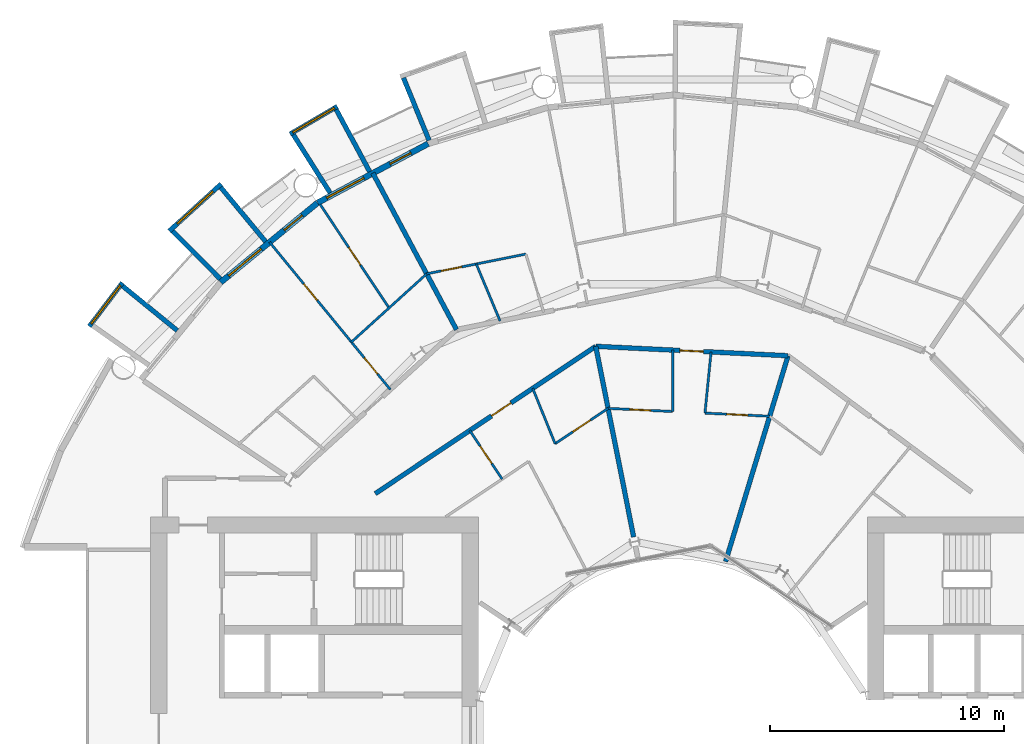
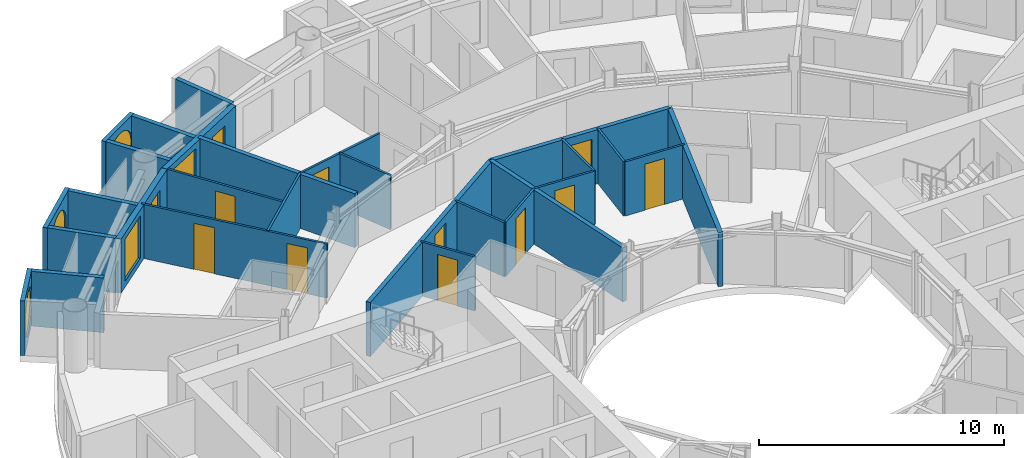
# One storey, part 19 of 26: 28 walls, 12 doors, 5 windows, 17 openings.
"""IFC4 building model written with IfcOpenShell, lengths in metres."""

from ifc_helpers import new_model, si_unit, direction, frame, frame_2d, origin, place, context, subcontext, project, spatial, rectangle, circle, extrude, material, layer, layer_set, type_object, element, fill, save


model = new_model("IFC4")

# Units and contexts
model_context = context("Model", 3, precision=1e-05, world=origin(), true_north=direction((0.0, 1.0)))
body_context = subcontext(model_context, "Body", "Model", "MODEL_VIEW")
ifc_project = project(units=[si_unit("LENGTHUNIT", "METRE"), si_unit("AREAUNIT", "SQUARE_METRE"), si_unit("VOLUMEUNIT", "CUBIC_METRE"), si_unit("PLANEANGLEUNIT", "RADIAN"), si_unit("MASSUNIT", "GRAM", prefix="KILO")], contexts=[model_context])

# Site, building, storey
site_placement = place(None, origin())
site = spatial("IfcSite", under=ifc_project, at=site_placement, CompositionType="ELEMENT")
building_placement = place(site_placement, origin())
building = spatial("IfcBuilding", under=site, at=building_placement, Name="Maasbend Ring Residences", CompositionType="ELEMENT")
storey_placement = place(building_placement, frame((0.0, 0.0, 66.64990234375)))
storey = spatial("IfcBuildingStorey", under=building, at=storey_placement, Name="L18", CompositionType="ELEMENT", Elevation=66.64990234375)

# Wall, opening, door
ifc_material_1 = material(Name="Concrete C30/37", Category="concrete")
ifc_layer_1 = layer(ifc_material_1, 0.199951171875)
ifc_layer_set_1 = layer_set([ifc_layer_1], Name="Concrete C30/37")
wall_type_1 = type_object("IfcWallType", Name="CORRIDOR WALL 200 CONCRETE", PredefinedType="PARTITIONING", material=ifc_layer_set_1)
wall_1_placement = place(storey_placement, frame((-12.7080078125, 10.285888671875, 0.0), z_axis=(0.0, 0.0, 1.0), x_axis=(0.831405725802, 0.555665834026, 0.0)))
wall_1 = element("IfcWall", 1, at=wall_1_placement, inside=storey, type_object=wall_type_1, Name="U-L18-w101", PredefinedType="PARTITIONING", context=body_context, shape_type="SweptSolid", body=[
    extrude(rectangle(XDim=11.314453125, YDim=0.199951171875, at=frame_2d((5.6572265625, 0.0))), origin(), (0.0, 0.0, 1.0), 2.7001953125),
])
opening_1_placement = place(wall_1_placement, frame((5.968994140625, 0.0, 0.0)))
opening_1 = element("IfcOpeningElement", 2, at=opening_1_placement, cuts=wall_1, Name="Opening D-1831", PredefinedType="OPENING", context=body_context, shape_type="SweptSolid", body=[
    extrude(rectangle(XDim=1.0, YDim=2.300048828125, at=frame_2d((0.5, 1.14990234375))), frame((0.0, 0.10986328125, 0.0), z_axis=(0.0, -1.0, 0.0), x_axis=(1.0, 0.0, 0.0)), (0.0, 0.0, 1.0), 0.219970703125),
])
ifc_material_2 = material(Name="Timber, fire-rated, painted", Category="wood")
door_type_1 = type_object("IfcDoorType", Name="FLAT ENTRANCE DOOR 1000 X 2300 FIRE-RATED", OperationType="NOTDEFINED", PredefinedType="DOOR", material=ifc_material_2)
door_1_placement = place(opening_1_placement, origin())
door_1 = element("IfcDoor", 3, at=door_1_placement, inside=storey, type_object=door_type_1, Name="D-1831", OperationType="SINGLE_SWING_RIGHT", OverallHeight=2.300048828125, OverallWidth=1.0, PredefinedType="DOOR", context=body_context, shape_type="SweptSolid", body=[
    extrude(rectangle(XDim=1.0, YDim=2.300048828125, at=frame_2d((0.5, 1.14990234375))), frame((0.0, 0.02490234375, 0.0), z_axis=(0.0, -1.0, 0.0), x_axis=(1.0, 0.0, 0.0)), (0.0, 0.0, 1.0), 0.050048828125),
])
fill(opening_1, door_1)

wall_2_placement = place(storey_placement, frame((-3.298095703125, 16.573974609375, 0.0), z_axis=(0.0, 0.0, 1.0), x_axis=(0.998802523271, -0.048923608895, 0.0)))
wall_2 = element("IfcWall", 4, at=wall_2_placement, inside=storey, type_object=wall_type_1, Name="U-L18-w103", PredefinedType="PARTITIONING", context=body_context, shape_type="SweptSolid", body=[
    extrude(rectangle(XDim=8.2138671875, YDim=0.199951171875, at=frame_2d((4.10693359375, 0.0))), origin(), (0.0, 0.0, 1.0), 2.7001953125),
])
opening_2_placement = place(wall_2_placement, frame((3.60009765625, 0.0, 0.0)))
opening_2 = element("IfcOpeningElement", 5, at=opening_2_placement, cuts=wall_2, Name="Opening D-1828", PredefinedType="OPENING", context=body_context, shape_type="SweptSolid", body=[
    extrude(rectangle(XDim=1.0, YDim=2.300048828125, at=frame_2d((0.5, 1.14990234375))), frame((0.0, 0.10986328125, 0.0), z_axis=(0.0, -1.0, 0.0), x_axis=(1.0, 0.0, 0.0)), (0.0, 0.0, 1.0), 0.219970703125),
])
door_2_placement = place(opening_2_placement, origin())
door_2 = element("IfcDoor", 6, at=door_2_placement, inside=storey, type_object=door_type_1, Name="D-1828", OperationType="SINGLE_SWING_LEFT", OverallHeight=2.300048828125, OverallWidth=1.0, PredefinedType="DOOR", context=body_context, shape_type="SweptSolid", body=[
    extrude(rectangle(XDim=1.0, YDim=2.300048828125, at=frame_2d((0.5, 1.14990234375))), frame((0.0, 0.02490234375, 0.0), z_axis=(0.0, -1.0, 0.0), x_axis=(1.0, 0.0, 0.0)), (0.0, 0.0, 1.0), 0.050048828125),
])
fill(opening_2, door_2)

# Wall
ifc_material_3 = material(Name="Pale anodised aluminium panel", Category="aluminium")
ifc_layer_2 = layer(ifc_material_3, 0.199951171875)
ifc_layer_set_2 = layer_set([ifc_layer_2], Name="EW-BOX")
wall_type_2 = type_object("IfcWallType", Name="EW-BOX", PredefinedType="SOLIDWALL", material=ifc_layer_set_2)
wall_3_placement = place(storey_placement, frame((-10.408935546875, 25.364013671875, -0.02978515625), z_axis=(0.0, 0.0, 1.0), x_axis=(-0.379509886562, 0.925187681501, 0.0)))
element("IfcWall", 7, at=wall_3_placement, inside=storey, type_object=wall_type_2, Name="Box side wall N14 right", PredefinedType="SOLIDWALL", context=body_context, shape_type="SweptSolid", body=[
    extrude(rectangle(XDim=2.882568359375, YDim=0.199951171875, at=frame_2d((1.44140625, 0.0))), origin(), (0.0, 0.0, 1.0), 2.72998046875),
])

# Wall, opening, window
wall_4_placement = place(storey_placement, frame((-14.326904296875, 26.81201171875, -0.02978515625), z_axis=(0.0, 0.0, 1.0), x_axis=(-0.863346521872, -0.504611517081, 0.0)))
wall_4 = element("IfcWall", 8, at=wall_4_placement, inside=storey, type_object=wall_type_2, Name="Box front N16", PredefinedType="SOLIDWALL", context=body_context, shape_type="SweptSolid", body=[
    extrude(rectangle(XDim=2.33642578125, YDim=0.199951171875, at=frame_2d((1.168212890625, 0.0))), origin(), (0.0, 0.0, 1.0), 2.72998046875),
])
opening_3_placement = place(wall_4_placement, frame((0.128173828125, 0.0, 0.330078125)))
opening_3 = element("IfcOpeningElement", 9, at=opening_3_placement, cuts=wall_4, Name="Opening W-RD", PredefinedType="OPENING", context=body_context, shape_type="SweptSolid", body=[
    extrude(circle(Radius=1.0400390625, at=frame_2d((1.0400390625, 1.0400390625))), frame((0.0, 0.10986328125, 0.0), z_axis=(0.0, -1.0, 0.0), x_axis=(1.0, 0.0, 0.0)), (0.0, 0.0, 1.0), 0.219970703125),
])
ifc_material_4 = material(Name="Aluminium and clear glass", Category="aluminium")
window_type_1 = type_object("IfcWindowType", Name="W-RD", PartitioningType="SINGLE_PANEL", PredefinedType="WINDOW", material=ifc_material_4)
window_1_placement = place(opening_3_placement, origin())
window_1 = element("IfcWindow", 10, at=window_1_placement, inside=storey, type_object=window_type_1, Name="Round window N16", OverallHeight=2.080078125, OverallWidth=2.080078125, PartitioningType="SINGLE_PANEL", PredefinedType="WINDOW", context=body_context, shape_type="SweptSolid", body=[
    extrude(circle(Radius=1.0400390625, at=frame_2d((1.0400390625, 1.0400390625))), frame((0.0, 0.030029296875, 0.0), z_axis=(0.0, -1.0, 0.0), x_axis=(1.0, 0.0, 0.0)), (0.0, 0.0, 1.0), 0.06005859375),
])
fill(opening_3, window_1)

# Walls
wall_5_placement = place(storey_placement, frame((-12.945068359375, 24.029052734375, -0.02978515625), z_axis=(0.0, 0.0, 1.0), x_axis=(-0.474424310775, 0.88029629861, 0.0)))
element("IfcWall", 11, at=wall_5_placement, inside=storey, type_object=wall_type_2, Name="Box side wall N16 left", PredefinedType="SOLIDWALL", context=body_context, shape_type="SweptSolid", body=[
    extrude(rectangle(XDim=3.005859375, YDim=0.199951171875, at=frame_2d((1.5029296875, 0.0))), origin(), (0.0, 0.0, 1.0), 2.72998046875),
])
wall_6_placement = place(storey_placement, frame((-14.635009765625, 23.1259765625, -0.02978515625), z_axis=(0.0, 0.0, 1.0), x_axis=(-0.534437802731, 0.845207805816, 0.0)))
element("IfcWall", 12, at=wall_6_placement, inside=storey, type_object=wall_type_2, Name="Box side wall N16 right", PredefinedType="SOLIDWALL", context=body_context, shape_type="SweptSolid", body=[
    extrude(rectangle(XDim=2.931884765625, YDim=0.199951171875, at=frame_2d((1.4658203125, 0.0))), origin(), (0.0, 0.0, 1.0), 2.72998046875),
])

# Wall, opening, window
wall_7_placement = place(storey_placement, frame((-19.281982421875, 23.5029296875, -0.02978515625), z_axis=(0.0, 0.0, 1.0), x_axis=(-0.740998365753, -0.671506829416, 0.0)))
wall_7 = element("IfcWall", 13, at=wall_7_placement, inside=storey, type_object=wall_type_2, Name="Box front N18", PredefinedType="SOLIDWALL", context=body_context, shape_type="SweptSolid", body=[
    extrude(rectangle(XDim=2.9931640625, YDim=0.199951171875, at=frame_2d((1.49658203125, 0.0))), origin(), (0.0, 0.0, 1.0), 2.72998046875),
])
opening_4_placement = place(wall_7_placement, frame((0.45654296875, 0.0, 0.330078125)))
opening_4 = element("IfcOpeningElement", 14, at=opening_4_placement, cuts=wall_7, Name="Opening W-RD", PredefinedType="OPENING", context=body_context, shape_type="SweptSolid", body=[
    extrude(circle(Radius=1.0400390625, at=frame_2d((1.0400390625, 1.0400390625))), frame((0.0, 0.10986328125, 0.0), z_axis=(0.0, -1.0, 0.0), x_axis=(1.0, 0.0, 0.0)), (0.0, 0.0, 1.0), 0.219970703125),
])
window_2_placement = place(opening_4_placement, origin())
window_2 = element("IfcWindow", 15, at=window_2_placement, inside=storey, type_object=window_type_1, Name="Round window N18", OverallHeight=2.080078125, OverallWidth=2.080078125, PartitioningType="SINGLE_PANEL", PredefinedType="WINDOW", context=body_context, shape_type="SweptSolid", body=[
    extrude(circle(Radius=1.0400390625, at=frame_2d((1.0400390625, 1.0400390625))), frame((0.0, 0.030029296875, 0.0), z_axis=(0.0, -1.0, 0.0), x_axis=(1.0, 0.0, 0.0)), (0.0, 0.0, 1.0), 0.06005859375),
])
fill(opening_4, window_2)

# Walls
wall_8_placement = place(storey_placement, frame((-17.384033203125, 21.041015625, -0.02978515625), z_axis=(0.0, 0.0, 1.0), x_axis=(-0.63709551667, 0.770784861449, 0.0)))
element("IfcWall", 16, at=wall_8_placement, inside=storey, type_object=wall_type_2, Name="Box side wall N18 left", PredefinedType="SOLIDWALL", context=body_context, shape_type="SweptSolid", body=[
    extrude(rectangle(XDim=3.005859375, YDim=0.199951171875, at=frame_2d((1.5029296875, 0.0))), origin(), (0.0, 0.0, 1.0), 2.72998046875),
])
wall_9_placement = place(storey_placement, frame((-19.322998046875, 19.449951171875, -0.02978515625), z_axis=(0.0, 0.0, 1.0), x_axis=(-0.704476739375, 0.709727076896, 0.0)))
element("IfcWall", 17, at=wall_9_placement, inside=storey, type_object=wall_type_2, Name="Box side wall N18 right", PredefinedType="SOLIDWALL", context=body_context, shape_type="SweptSolid", body=[
    extrude(rectangle(XDim=2.883056640625, YDim=0.199951171875, at=frame_2d((1.44140625, 0.0))), origin(), (0.0, 0.0, 1.0), 2.72998046875),
])

# Wall, opening, window
wall_10_placement = place(storey_placement, frame((-23.4970703125, 19.2890625, -0.02978515625), z_axis=(0.0, 0.0, 1.0), x_axis=(-0.60418752353, -0.796842165306, 0.0)))
wall_10 = element("IfcWall", 18, at=wall_10_placement, inside=storey, type_object=wall_type_2, Name="Box front N20", PredefinedType="SOLIDWALL", context=body_context, shape_type="SweptSolid", body=[
    extrude(rectangle(XDim=2.3369140625, YDim=0.199951171875, at=frame_2d((1.16845703125, 0.0))), origin(), (0.0, 0.0, 1.0), 2.72998046875),
])
opening_5_placement = place(wall_10_placement, frame((0.128173828125, 0.0, 0.330078125)))
opening_5 = element("IfcOpeningElement", 19, at=opening_5_placement, cuts=wall_10, Name="Opening W-RD", PredefinedType="OPENING", context=body_context, shape_type="SweptSolid", body=[
    extrude(circle(Radius=1.0400390625, at=frame_2d((1.0400390625, 1.0400390625))), frame((0.0, 0.10986328125, 0.0), z_axis=(0.0, -1.0, 0.0), x_axis=(1.0, 0.0, 0.0)), (0.0, 0.0, 1.0), 0.219970703125),
])
window_3_placement = place(opening_5_placement, origin())
window_3 = element("IfcWindow", 20, at=window_3_placement, inside=storey, type_object=window_type_1, Name="Round window N20", OverallHeight=2.080078125, OverallWidth=2.080078125, PartitioningType="SINGLE_PANEL", PredefinedType="WINDOW", context=body_context, shape_type="SweptSolid", body=[
    extrude(circle(Radius=1.0400390625, at=frame_2d((1.0400390625, 1.0400390625))), frame((0.0, 0.030029296875, 0.0), z_axis=(0.0, -1.0, 0.0), x_axis=(1.0, 0.0, 0.0)), (0.0, 0.0, 1.0), 0.06005859375),
])
fill(opening_5, window_3)

# Wall
wall_11_placement = place(storey_placement, frame((-21.155029296875, 17.24609375, -0.02978515625), z_axis=(0.0, 0.0, 1.0), x_axis=(-0.775179004516, 0.631741648902, 0.0)))
element("IfcWall", 21, at=wall_11_placement, inside=storey, type_object=wall_type_2, Name="Box side wall N20 left", PredefinedType="SOLIDWALL", context=body_context, shape_type="SweptSolid", body=[
    extrude(rectangle(XDim=3.005859375, YDim=0.199951171875, at=frame_2d((1.5029296875, 0.0))), origin(), (0.0, 0.0, 1.0), 2.72998046875),
])

# Wall, openings, door, window
ifc_material_5 = material(Name="Aluminium clad insulated panel", Category="aluminium")
ifc_layer_3 = layer(ifc_material_5, 0.25)
ifc_layer_set_3 = layer_set([ifc_layer_3], Name="EW-GL")
wall_type_3 = type_object("IfcWallType", Name="EW-GL", PredefinedType="SOLIDWALL", material=ifc_layer_set_3)
wall_12_placement = place(storey_placement, frame((-10.447021484375, 25.221923828125, 0.0), z_axis=(0.0, 0.0, 1.0), x_axis=(-0.881915646801, -0.471407246368, 0.0)))
wall_12 = element("IfcWall", 22, at=wall_12_placement, inside=storey, type_object=wall_type_3, Name="External wall N08", PredefinedType="SOLIDWALL", context=body_context, shape_type="SweptSolid", body=[
    extrude(rectangle(XDim=5.35205078125, YDim=0.25, at=frame_2d((2.676025390625, 0.0))), origin(), (0.0, 0.0, 1.0), 2.7001953125),
])
opening_6_placement = place(wall_12_placement, frame((0.841064453125, 0.0, 0.0)))
opening_6 = element("IfcOpeningElement", 23, at=opening_6_placement, cuts=wall_12, Name="Opening D-LG", PredefinedType="OPENING", context=body_context, shape_type="SweptSolid", body=[
    extrude(rectangle(XDim=1.0, YDim=2.199951171875, at=frame_2d((0.5, 1.10009765625))), frame((0.0, 0.135009765625, 0.0), z_axis=(0.0, -1.0, 0.0), x_axis=(1.0, 0.0, 0.0)), (0.0, 0.0, 1.0), 0.27001953125),
])
opening_7_placement = place(wall_12_placement, frame((3.110595703125, 0.0, 0.300048828125)))
opening_7 = element("IfcOpeningElement", 24, at=opening_7_placement, cuts=wall_12, Name="Opening W-BX", PredefinedType="OPENING", context=body_context, shape_type="SweptSolid", body=[
    extrude(rectangle(XDim=1.800048828125, YDim=2.10009765625, at=frame_2d((0.89990234375, 1.050048828125))), frame((0.0, 0.135009765625, 0.0), z_axis=(0.0, -1.0, 0.0), x_axis=(1.0, 0.0, 0.0)), (0.0, 0.0, 1.0), 0.27001953125),
])
ifc_material_6 = material(Name="Aluminium and clear glass", Category="aluminium")
door_type_2 = type_object("IfcDoorType", Name="D-LG", OperationType="SINGLE_SWING_LEFT", PredefinedType="DOOR", material=ifc_material_6)
door_3_placement = place(opening_6_placement, origin())
door_3 = element("IfcDoor", 25, at=door_3_placement, inside=storey, type_object=door_type_2, Name="Loggia door N15", OperationType="SINGLE_SWING_LEFT", OverallHeight=2.199951171875, OverallWidth=1.0, PredefinedType="DOOR", context=body_context, shape_type="SweptSolid", body=[
    extrude(rectangle(XDim=1.0, YDim=2.199951171875, at=frame_2d((0.5, 1.10009765625))), frame((0.0, 0.02490234375, 0.0), z_axis=(0.0, -1.0, 0.0), x_axis=(1.0, 0.0, 0.0)), (0.0, 0.0, 1.0), 0.050048828125),
])
fill(opening_6, door_3)
ifc_material_7 = material(Name="Aluminium and clear glass", Category="aluminium")
window_type_2 = type_object("IfcWindowType", Name="W-BX", PartitioningType="DOUBLE_PANEL_VERTICAL", PredefinedType="WINDOW", material=ifc_material_7)
window_4_placement = place(opening_7_placement, origin())
window_4 = element("IfcWindow", 26, at=window_4_placement, inside=storey, type_object=window_type_2, Name="Window N16 room to box", OverallHeight=2.10009765625, OverallWidth=1.800048828125, PartitioningType="SINGLE_PANEL", PredefinedType="WINDOW", context=body_context, shape_type="SweptSolid", body=[
    extrude(rectangle(XDim=1.800048828125, YDim=2.10009765625, at=frame_2d((0.89990234375, 1.050048828125))), frame((0.0, 0.030029296875, 0.0), z_axis=(0.0, -1.0, 0.0), x_axis=(1.0, 0.0, 0.0)), (0.0, 0.0, 1.0), 0.06005859375),
])
fill(opening_7, window_4)

wall_13_placement = place(storey_placement, frame((-15.1669921875, 22.698974609375, 0.0), z_axis=(0.0, 0.0, 1.0), x_axis=(-0.773019449054, -0.634382322723, 0.0)))
wall_13 = element("IfcWall", 27, at=wall_13_placement, inside=storey, type_object=wall_type_3, Name="External wall N09", PredefinedType="SOLIDWALL", context=body_context, shape_type="SweptSolid", body=[
    extrude(rectangle(XDim=5.351806640625, YDim=0.25, at=frame_2d((2.67578125, 0.0))), origin(), (0.0, 0.0, 1.0), 2.7001953125),
])
opening_8_placement = place(wall_13_placement, frame((0.841064453125, 0.0, 0.0)))
opening_8 = element("IfcOpeningElement", 28, at=opening_8_placement, cuts=wall_13, Name="Opening D-LG", PredefinedType="OPENING", context=body_context, shape_type="SweptSolid", body=[
    extrude(rectangle(XDim=1.0, YDim=2.199951171875, at=frame_2d((0.5, 1.10009765625))), frame((0.0, 0.135009765625, 0.0), z_axis=(0.0, -1.0, 0.0), x_axis=(1.0, 0.0, 0.0)), (0.0, 0.0, 1.0), 0.27001953125),
])
opening_9_placement = place(wall_13_placement, frame((3.110595703125, 0.0, 0.300048828125)))
opening_9 = element("IfcOpeningElement", 29, at=opening_9_placement, cuts=wall_13, Name="Opening W-BX", PredefinedType="OPENING", context=body_context, shape_type="SweptSolid", body=[
    extrude(rectangle(XDim=1.800048828125, YDim=2.10009765625, at=frame_2d((0.89990234375, 1.050048828125))), frame((0.0, 0.135009765625, 0.0), z_axis=(0.0, -1.0, 0.0), x_axis=(1.0, 0.0, 0.0)), (0.0, 0.0, 1.0), 0.27001953125),
])
door_4_placement = place(opening_8_placement, origin())
door_4 = element("IfcDoor", 30, at=door_4_placement, inside=storey, type_object=door_type_2, Name="Loggia door N17", OperationType="SINGLE_SWING_LEFT", OverallHeight=2.199951171875, OverallWidth=1.0, PredefinedType="DOOR", context=body_context, shape_type="SweptSolid", body=[
    extrude(rectangle(XDim=1.0, YDim=2.199951171875, at=frame_2d((0.5, 1.10009765625))), frame((0.0, 0.02490234375, 0.0), z_axis=(0.0, -1.0, 0.0), x_axis=(1.0, 0.0, 0.0)), (0.0, 0.0, 1.0), 0.050048828125),
])
fill(opening_8, door_4)
window_5_placement = place(opening_9_placement, origin())
window_5 = element("IfcWindow", 31, at=window_5_placement, inside=storey, type_object=window_type_2, Name="Window N18 room to box", OverallHeight=2.10009765625, OverallWidth=1.800048828125, PartitioningType="SINGLE_PANEL", PredefinedType="WINDOW", context=body_context, shape_type="SweptSolid", body=[
    extrude(rectangle(XDim=1.800048828125, YDim=2.10009765625, at=frame_2d((0.89990234375, 1.050048828125))), frame((0.0, 0.030029296875, 0.0), z_axis=(0.0, -1.0, 0.0), x_axis=(1.0, 0.0, 0.0)), (0.0, 0.0, 1.0), 0.06005859375),
])
fill(opening_9, window_5)

# Wall, openings, doors
ifc_material_8 = material(Name="Gypsum board on steel studs", Category="steel")
ifc_layer_4 = layer(ifc_material_8, 0.10009765625)
ifc_layer_set_4 = layer_set([ifc_layer_4], Name="PARTITION 100 GYPSUM")
wall_type_4 = type_object("IfcWallType", Name="PARTITION 100 GYPSUM", PredefinedType="PARTITIONING", material=ifc_layer_set_4)
wall_14_placement = place(storey_placement, frame((-17.218994140625, 21.02294921875, 0.0), z_axis=(0.0, 0.0, 1.0), x_axis=(0.633664062855, -0.773608334654, 0.0)))
wall_14 = element("IfcWall", 32, at=wall_14_placement, inside=storey, type_object=wall_type_4, Name="U-L18-w033", PredefinedType="PARTITIONING", context=body_context, shape_type="SweptSolid", body=[
    extrude(rectangle(XDim=8.138427734375, YDim=0.10009765625, at=frame_2d((4.0693359375, 0.0))), origin(), (0.0, 0.0, 1.0), 2.7001953125),
])
opening_10_placement = place(wall_14_placement, frame((6.376953125, 0.0, 0.0)))
opening_10 = element("IfcOpeningElement", 33, at=opening_10_placement, cuts=wall_14, Name="Opening D-1821", PredefinedType="OPENING", context=body_context, shape_type="SweptSolid", body=[
    extrude(rectangle(XDim=0.89990234375, YDim=2.300048828125, at=frame_2d((0.449951171875, 1.14990234375))), frame((0.0, 0.06005859375, 0.0), z_axis=(0.0, -1.0, 0.0), x_axis=(1.0, 0.0, 0.0)), (0.0, 0.0, 1.0), 0.1201171875),
])
opening_11_placement = place(wall_14_placement, frame((2.30810546875, 0.0, 0.0)))
opening_11 = element("IfcOpeningElement", 34, at=opening_11_placement, cuts=wall_14, Name="Opening D-1822", PredefinedType="OPENING", context=body_context, shape_type="SweptSolid", body=[
    extrude(rectangle(XDim=0.89990234375, YDim=2.300048828125, at=frame_2d((0.449951171875, 1.14990234375))), frame((0.0, 0.06005859375, 0.0), z_axis=(0.0, -1.0, 0.0), x_axis=(1.0, 0.0, 0.0)), (0.0, 0.0, 1.0), 0.1201171875),
])
ifc_material_9 = material(Name="Timber, painted", Category="wood")
door_type_3 = type_object("IfcDoorType", Name="INTERNAL DOOR 900 X 2300", OperationType="NOTDEFINED", PredefinedType="DOOR", material=ifc_material_9)
door_5_placement = place(opening_10_placement, origin())
door_5 = element("IfcDoor", 35, at=door_5_placement, inside=storey, type_object=door_type_3, Name="D-1821", OperationType="SINGLE_SWING_RIGHT", OverallHeight=2.300048828125, OverallWidth=0.89990234375, PredefinedType="DOOR", context=body_context, shape_type="SweptSolid", body=[
    extrude(rectangle(XDim=0.89990234375, YDim=2.300048828125, at=frame_2d((0.449951171875, 1.14990234375))), frame((0.0, 0.02490234375, 0.0), z_axis=(0.0, -1.0, 0.0), x_axis=(1.0, 0.0, 0.0)), (0.0, 0.0, 1.0), 0.050048828125),
])
fill(opening_10, door_5)
door_6_placement = place(opening_11_placement, origin())
door_6 = element("IfcDoor", 36, at=door_6_placement, inside=storey, type_object=door_type_3, Name="D-1822", OperationType="SINGLE_SWING_LEFT", OverallHeight=2.300048828125, OverallWidth=0.89990234375, PredefinedType="DOOR", context=body_context, shape_type="SweptSolid", body=[
    extrude(rectangle(XDim=0.89990234375, YDim=2.300048828125, at=frame_2d((0.449951171875, 1.14990234375))), frame((0.0, 0.02490234375, 0.0), z_axis=(0.0, -1.0, 0.0), x_axis=(1.0, 0.0, 0.0)), (0.0, 0.0, 1.0), 0.050048828125),
])
fill(opening_11, door_6)

# Wall, opening, door
wall_15_placement = place(storey_placement, frame((-15.053955078125, 22.6240234375, 0.0), z_axis=(0.0, 0.0, 1.0), x_axis=(0.553913391217, -0.832574294, 0.0)))
wall_15 = element("IfcWall", 37, at=wall_15_placement, inside=storey, type_object=wall_type_4, Name="U-L18-w037", PredefinedType="PARTITIONING", context=body_context, shape_type="SweptSolid", body=[
    extrude(rectangle(XDim=5.300537109375, YDim=0.10009765625, at=frame_2d((2.650390625, 0.0))), origin(), (0.0, 0.0, 1.0), 2.7001953125),
])
opening_12_placement = place(wall_15_placement, frame((2.199951171875, 0.0, 0.0)))
opening_12 = element("IfcOpeningElement", 38, at=opening_12_placement, cuts=wall_15, Name="Opening D-1823", PredefinedType="OPENING", context=body_context, shape_type="SweptSolid", body=[
    extrude(rectangle(XDim=0.89990234375, YDim=2.300048828125, at=frame_2d((0.449951171875, 1.14990234375))), frame((0.0, 0.06005859375, 0.0), z_axis=(0.0, -1.0, 0.0), x_axis=(1.0, 0.0, 0.0)), (0.0, 0.0, 1.0), 0.1201171875),
])
door_7_placement = place(opening_12_placement, origin())
door_7 = element("IfcDoor", 39, at=door_7_placement, inside=storey, type_object=door_type_3, Name="D-1823", OperationType="SINGLE_SWING_LEFT", OverallHeight=2.300048828125, OverallWidth=0.89990234375, PredefinedType="DOOR", context=body_context, shape_type="SweptSolid", body=[
    extrude(rectangle(XDim=0.89990234375, YDim=2.300048828125, at=frame_2d((0.449951171875, 1.14990234375))), frame((0.0, 0.02490234375, 0.0), z_axis=(0.0, -1.0, 0.0), x_axis=(1.0, 0.0, 0.0)), (0.0, 0.0, 1.0), 0.050048828125),
])
fill(opening_12, door_7)

wall_16_placement = place(storey_placement, frame((-8.674072265625, 12.98193359375, 0.0), z_axis=(0.0, 0.0, 1.0), x_axis=(0.555355163998, -0.831613276602, 0.0)))
wall_16 = element("IfcWall", 40, at=wall_16_placement, inside=storey, type_object=wall_type_4, Name="U-L18-w043", PredefinedType="PARTITIONING", context=body_context, shape_type="SweptSolid", body=[
    extrude(rectangle(XDim=2.493896484375, YDim=0.10009765625, at=frame_2d((1.2470703125, 0.0))), origin(), (0.0, 0.0, 1.0), 2.7001953125),
])
opening_13_placement = place(wall_16_placement, frame((0.797119140625, 0.0, 0.0)))
opening_13 = element("IfcOpeningElement", 41, at=opening_13_placement, cuts=wall_16, Name="Opening D-1833", PredefinedType="OPENING", context=body_context, shape_type="SweptSolid", body=[
    extrude(rectangle(XDim=0.89990234375, YDim=2.300048828125, at=frame_2d((0.449951171875, 1.14990234375))), frame((0.0, 0.06005859375, 0.0), z_axis=(0.0, -1.0, 0.0), x_axis=(1.0, 0.0, 0.0)), (0.0, 0.0, 1.0), 0.1201171875),
])
door_8_placement = place(opening_13_placement, origin())
door_8 = element("IfcDoor", 42, at=door_8_placement, inside=storey, type_object=door_type_3, Name="D-1833", OperationType="SINGLE_SWING_RIGHT", OverallHeight=2.300048828125, OverallWidth=0.89990234375, PredefinedType="DOOR", context=body_context, shape_type="SweptSolid", body=[
    extrude(rectangle(XDim=0.89990234375, YDim=2.300048828125, at=frame_2d((0.449951171875, 1.14990234375))), frame((0.0, 0.02490234375, 0.0), z_axis=(0.0, -1.0, 0.0), x_axis=(1.0, 0.0, 0.0)), (0.0, 0.0, 1.0), 0.050048828125),
])
fill(opening_13, door_8)

# Walls
wall_17_placement = place(storey_placement, frame((-8.39599609375, 20.087890625, 0.0), z_axis=(0.0, 0.0, 1.0), x_axis=(0.385844829344, -0.922563693014, 0.0)))
element("IfcWall", 43, at=wall_17_placement, inside=storey, type_object=wall_type_4, Name="U-L18-w044", PredefinedType="PARTITIONING", context=body_context, shape_type="SweptSolid", body=[
    extrude(rectangle(XDim=2.635986328125, YDim=0.10009765625, at=frame_2d((1.31787109375, 0.0))), origin(), (0.0, 0.0, 1.0), 2.7001953125),
])
wall_18_placement = place(storey_placement, frame((-5.986083984375, 14.779052734375, 0.0), z_axis=(0.0, 0.0, 1.0), x_axis=(0.375649498413, -0.926761811008, 0.0)))
element("IfcWall", 44, at=wall_18_placement, inside=storey, type_object=wall_type_4, Name="U-L18-w048", PredefinedType="PARTITIONING", context=body_context, shape_type="SweptSolid", body=[
    extrude(rectangle(XDim=2.547607421875, YDim=0.10009765625, at=frame_2d((1.27392578125, 0.0))), origin(), (0.0, 0.0, 1.0), 2.7001953125),
])
wall_19_placement = place(storey_placement, frame((-0.012939453125, 13.7919921875, 0.0), z_axis=(0.0, 0.0, 1.0), x_axis=(-0.001210427419, 0.999999267432, 0.0)))
element("IfcWall", 45, at=wall_19_placement, inside=storey, type_object=wall_type_4, Name="U-L18-w060", PredefinedType="PARTITIONING", context=body_context, shape_type="SweptSolid", body=[
    extrude(rectangle(XDim=2.6220703125, YDim=0.10009765625, at=frame_2d((1.31103515625, 0.0))), origin(), (0.0, 0.0, 1.0), 2.7001953125),
])
wall_20_placement = place(storey_placement, frame((1.364990234375, 13.72412109375, 0.0), z_axis=(0.0, 0.0, 1.0), x_axis=(0.099171803948, 0.995070325807, 0.0)))
element("IfcWall", 46, at=wall_20_placement, inside=storey, type_object=wall_type_4, Name="U-L18-w062", PredefinedType="PARTITIONING", context=body_context, shape_type="SweptSolid", body=[
    extrude(rectangle(XDim=2.621826171875, YDim=0.10009765625, at=frame_2d((1.31103515625, 0.0))), origin(), (0.0, 0.0, 1.0), 2.7001953125),
])

# Wall, opening, door
wall_21_placement = place(storey_placement, frame((-5.031982421875, 12.4169921875, 0.0), z_axis=(0.0, 0.0, 1.0), x_axis=(0.831538390496, 0.555467285384, 0.0)))
wall_21 = element("IfcWall", 47, at=wall_21_placement, inside=storey, type_object=wall_type_4, Name="U-L18-w096", PredefinedType="PARTITIONING", context=body_context, shape_type="SweptSolid", body=[
    extrude(rectangle(XDim=2.716796875, YDim=0.10009765625, at=frame_2d((1.3583984375, 0.0))), origin(), (0.0, 0.0, 1.0), 2.7001953125),
])
opening_14_placement = place(wall_21_placement, frame((0.910888671875, 0.0, 0.0)))
opening_14 = element("IfcOpeningElement", 48, at=opening_14_placement, cuts=wall_21, Name="Opening D-1832", PredefinedType="OPENING", context=body_context, shape_type="SweptSolid", body=[
    extrude(rectangle(XDim=0.89990234375, YDim=2.300048828125, at=frame_2d((0.449951171875, 1.14990234375))), frame((0.0, 0.06005859375, 0.0), z_axis=(0.0, -1.0, 0.0), x_axis=(1.0, 0.0, 0.0)), (0.0, 0.0, 1.0), 0.1201171875),
])
door_9_placement = place(opening_14_placement, origin())
door_9 = element("IfcDoor", 49, at=door_9_placement, inside=storey, type_object=door_type_3, Name="D-1832", OperationType="SINGLE_SWING_RIGHT", OverallHeight=2.300048828125, OverallWidth=0.89990234375, PredefinedType="DOOR", context=body_context, shape_type="SweptSolid", body=[
    extrude(rectangle(XDim=0.89990234375, YDim=2.300048828125, at=frame_2d((0.449951171875, 1.14990234375))), frame((0.0, 0.02490234375, 0.0), z_axis=(0.0, -1.0, 0.0), x_axis=(1.0, 0.0, 0.0)), (0.0, 0.0, 1.0), 0.050048828125),
])
fill(opening_14, door_9)

wall_22_placement = place(storey_placement, frame((-2.77001953125, 13.926025390625, 0.0), z_axis=(0.0, 0.0, 1.0), x_axis=(0.99880320044, -0.048909782152, 0.0)))
wall_22 = element("IfcWall", 50, at=wall_22_placement, inside=storey, type_object=wall_type_4, Name="U-L18-w099", PredefinedType="PARTITIONING", context=body_context, shape_type="SweptSolid", body=[
    extrude(rectangle(XDim=2.760498046875, YDim=0.10009765625, at=frame_2d((1.38037109375, 0.0))), origin(), (0.0, 0.0, 1.0), 2.7001953125),
])
opening_15_placement = place(wall_22_placement, frame((0.929931640625, 0.0, 0.0)))
opening_15 = element("IfcOpeningElement", 51, at=opening_15_placement, cuts=wall_22, Name="Opening D-1830", PredefinedType="OPENING", context=body_context, shape_type="SweptSolid", body=[
    extrude(rectangle(XDim=0.89990234375, YDim=2.300048828125, at=frame_2d((0.449951171875, 1.14990234375))), frame((0.0, 0.06005859375, 0.0), z_axis=(0.0, -1.0, 0.0), x_axis=(1.0, 0.0, 0.0)), (0.0, 0.0, 1.0), 0.1201171875),
])
door_10_placement = place(opening_15_placement, origin())
door_10 = element("IfcDoor", 52, at=door_10_placement, inside=storey, type_object=door_type_3, Name="D-1830", OperationType="SINGLE_SWING_LEFT", OverallHeight=2.300048828125, OverallWidth=0.89990234375, PredefinedType="DOOR", context=body_context, shape_type="SweptSolid", body=[
    extrude(rectangle(XDim=0.89990234375, YDim=2.300048828125, at=frame_2d((0.449951171875, 1.14990234375))), frame((0.0, 0.02490234375, 0.0), z_axis=(0.0, -1.0, 0.0), x_axis=(1.0, 0.0, 0.0)), (0.0, 0.0, 1.0), 0.050048828125),
])
fill(opening_15, door_10)

wall_23_placement = place(storey_placement, frame((1.364990234375, 13.72412109375, 0.0), z_axis=(0.0, 0.0, 1.0), x_axis=(0.99880320044, -0.048909782152, 0.0)))
wall_23 = element("IfcWall", 53, at=wall_23_placement, inside=storey, type_object=wall_type_4, Name="U-L18-w100", PredefinedType="PARTITIONING", context=body_context, shape_type="SweptSolid", body=[
    extrude(rectangle(XDim=2.760498046875, YDim=0.10009765625, at=frame_2d((1.38037109375, 0.0))), origin(), (0.0, 0.0, 1.0), 2.7001953125),
])
opening_16_placement = place(wall_23_placement, frame((0.929931640625, 0.0, 0.0)))
opening_16 = element("IfcOpeningElement", 54, at=opening_16_placement, cuts=wall_23, Name="Opening D-1829", PredefinedType="OPENING", context=body_context, shape_type="SweptSolid", body=[
    extrude(rectangle(XDim=0.89990234375, YDim=2.300048828125, at=frame_2d((0.449951171875, 1.14990234375))), frame((0.0, 0.06005859375, 0.0), z_axis=(0.0, -1.0, 0.0), x_axis=(1.0, 0.0, 0.0)), (0.0, 0.0, 1.0), 0.1201171875),
])
door_11_placement = place(opening_16_placement, origin())
door_11 = element("IfcDoor", 55, at=door_11_placement, inside=storey, type_object=door_type_3, Name="D-1829", OperationType="SINGLE_SWING_LEFT", OverallHeight=2.300048828125, OverallWidth=0.89990234375, PredefinedType="DOOR", context=body_context, shape_type="SweptSolid", body=[
    extrude(rectangle(XDim=0.89990234375, YDim=2.300048828125, at=frame_2d((0.449951171875, 1.14990234375))), frame((0.0, 0.02490234375, 0.0), z_axis=(0.0, -1.0, 0.0), x_axis=(1.0, 0.0, 0.0)), (0.0, 0.0, 1.0), 0.050048828125),
])
fill(opening_16, door_11)

wall_24_placement = place(storey_placement, frame((-10.510986328125, 19.6669921875, 0.0), z_axis=(0.0, 0.0, 1.0), x_axis=(0.980773878384, 0.195147635084, 0.0)))
wall_24 = element("IfcWall", 56, at=wall_24_placement, inside=storey, type_object=wall_type_4, Name="U-L18-w108", PredefinedType="PARTITIONING", context=body_context, shape_type="SweptSolid", body=[
    extrude(rectangle(XDim=4.31494140625, YDim=0.10009765625, at=frame_2d((2.157470703125, 0.0))), origin(), (0.0, 0.0, 1.0), 2.7001953125),
])
opening_17_placement = place(wall_24_placement, frame((0.6279296875, 0.0, 0.0)))
opening_17 = element("IfcOpeningElement", 57, at=opening_17_placement, cuts=wall_24, Name="Opening D-1812", PredefinedType="OPENING", context=body_context, shape_type="SweptSolid", body=[
    extrude(rectangle(XDim=0.89990234375, YDim=2.300048828125, at=frame_2d((0.449951171875, 1.14990234375))), frame((0.0, 0.06005859375, 0.0), z_axis=(0.0, -1.0, 0.0), x_axis=(1.0, 0.0, 0.0)), (0.0, 0.0, 1.0), 0.1201171875),
])
door_12_placement = place(opening_17_placement, origin())
door_12 = element("IfcDoor", 58, at=door_12_placement, inside=storey, type_object=door_type_3, Name="D-1812", OperationType="SINGLE_SWING_LEFT", OverallHeight=2.300048828125, OverallWidth=0.89990234375, PredefinedType="DOOR", context=body_context, shape_type="SweptSolid", body=[
    extrude(rectangle(XDim=0.89990234375, YDim=2.300048828125, at=frame_2d((0.449951171875, 1.14990234375))), frame((0.0, 0.02490234375, 0.0), z_axis=(0.0, -1.0, 0.0), x_axis=(1.0, 0.0, 0.0)), (0.0, 0.0, 1.0), 0.050048828125),
])
fill(opening_17, door_12)

# Walls
wall_25_placement = place(storey_placement, frame((-13.72412109375, 16.7548828125, 0.0), z_axis=(0.0, 0.0, 1.0), x_axis=(0.741022791884, 0.671479874537, 0.0)))
element("IfcWall", 59, at=wall_25_placement, inside=storey, type_object=wall_type_4, Name="U-L18-w111", PredefinedType="PARTITIONING", context=body_context, shape_type="SweptSolid", body=[
    extrude(rectangle(XDim=4.3427734375, YDim=0.10009765625, at=frame_2d((2.17138671875, 0.0))), origin(), (0.0, 0.0, 1.0), 2.7001953125),
])
ifc_material_10 = material(Name="Concrete C30/37", Category="concrete")
ifc_layer_5 = layer(ifc_material_10, 0.199951171875)
ifc_layer_set_5 = layer_set([ifc_layer_5], Name="Concrete C30/37")
wall_type_5 = type_object("IfcWallType", Name="PARTY WALL 200 CONCRETE", PredefinedType="PARTITIONING", material=ifc_layer_set_5)
wall_26_placement = place(storey_placement, frame((-12.81005859375, 23.966064453125, 0.0), z_axis=(0.0, 0.0, 1.0), x_axis=(0.471439510802, -0.881898399848, 0.0)))
element("IfcWall", 60, at=wall_26_placement, inside=storey, type_object=wall_type_5, Name="U-L18-w039", PredefinedType="PARTITIONING", context=body_context, shape_type="SweptSolid", body=[
    extrude(rectangle(XDim=7.57470703125, YDim=0.199951171875, at=frame_2d((3.787353515625, 0.0))), origin(), (0.0, 0.0, 1.0), 2.7001953125),
])
wall_27_placement = place(storey_placement, frame((-3.297119140625, 16.574951171875, 0.0), z_axis=(0.0, 0.0, 1.0), x_axis=(0.195092097924, -0.980784927152, 0.0)))
element("IfcWall", 61, at=wall_27_placement, inside=storey, type_object=wall_type_5, Name="U-L18-w053", PredefinedType="PARTITIONING", context=body_context, shape_type="SweptSolid", body=[
    extrude(rectangle(XDim=8.29931640625, YDim=0.199951171875, at=frame_2d((4.149658203125, 0.0))), origin(), (0.0, 0.0, 1.0), 2.7001953125),
])
wall_28_placement = place(storey_placement, frame((2.2451171875, 7.386962890625, 0.0), z_axis=(0.0, 0.0, 1.0), x_axis=(0.290403763195, 0.956904203315, 0.0)))
element("IfcWall", 62, at=wall_28_placement, inside=storey, type_object=wall_type_5, Name="U-L18-w064", PredefinedType="PARTITIONING", context=body_context, shape_type="SweptSolid", body=[
    extrude(rectangle(XDim=9.179443359375, YDim=0.199951171875, at=frame_2d((4.58984375, 0.0))), origin(), (0.0, 0.0, 1.0), 2.7001953125),
])

save(model, "model.ifc")
